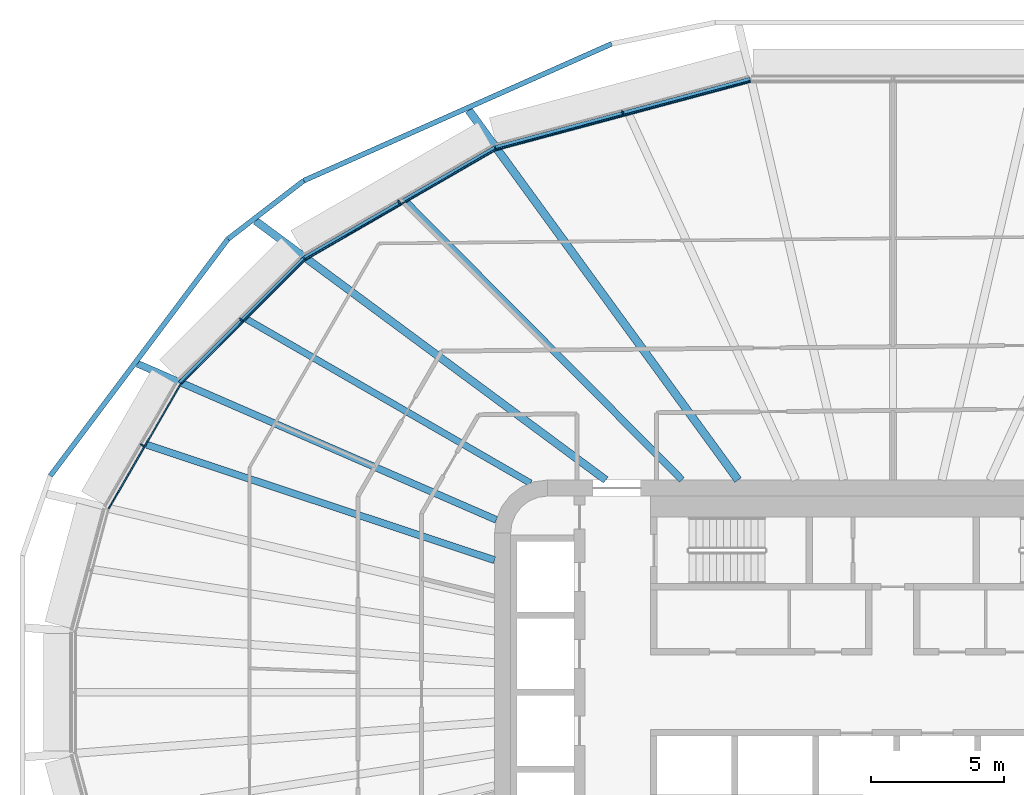
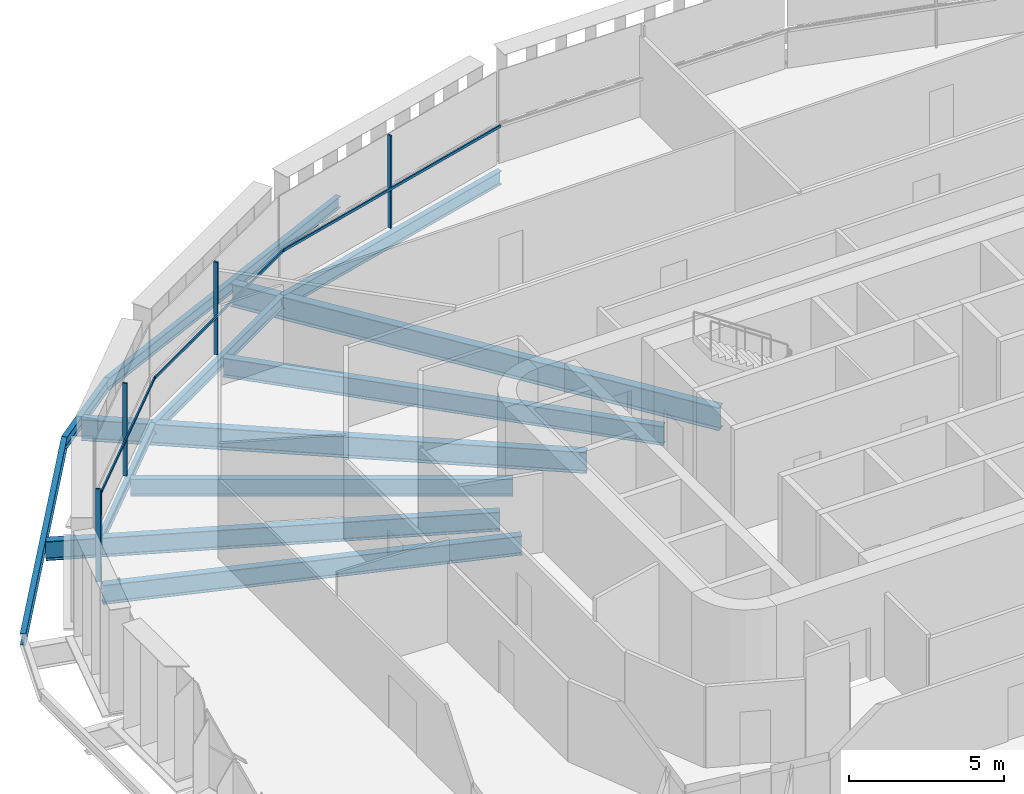
# One storey, part 7 of 24: 12 beams, 8 members, 4 elements without a shape of their own.
"""IFC4 building model written with IfcOpenShell, lengths in metres."""

from ifc_helpers import new_model, si_unit, direction, frame, origin, origin_2d, place, context, subcontext, project, spatial, rectangle, i_section, extrude, material, layer, layer_set, material_profile, profile_set, type_object, element, aggregate, save


model = new_model("IFC4")

# Units and contexts
model_context = context("Model", 3, precision=1e-05, world=origin(), true_north=direction((0.0, 1.0)))
body_context = subcontext(model_context, "Body", "Model", "MODEL_VIEW")
ifc_project = project(units=[si_unit("LENGTHUNIT", "METRE"), si_unit("AREAUNIT", "SQUARE_METRE"), si_unit("VOLUMEUNIT", "CUBIC_METRE"), si_unit("PLANEANGLEUNIT", "RADIAN"), si_unit("MASSUNIT", "GRAM", prefix="KILO")], contexts=[model_context])

# Site, building, storey
site_placement = place(None, origin())
site = spatial("IfcSite", under=ifc_project, at=site_placement, CompositionType="ELEMENT")
building_placement = place(site_placement, origin())
building = spatial("IfcBuilding", under=site, at=building_placement, Name="Sahrelin Media Tower", CompositionType="ELEMENT")
storey_placement = place(building_placement, frame((0.0, 0.0, 67.199951171875)))
storey = spatial("IfcBuildingStorey", under=building, at=storey_placement, Name="L11", CompositionType="ELEMENT", Elevation=67.199951171875)

# Beams
ifc_material_1 = material(Name="Steel S355", Category="steel")
ifc_material_profile_1 = material_profile(ifc_material_1, i_section(OverallWidth=0.17138671875, OverallDepth=0.35498046875, WebThickness=0.00732421875, FlangeThickness=0.011474609375, FilletRadius=0.01025390625, at=origin_2d()), Name="UB 356x171x51")
ifc_profile_set_1 = profile_set([ifc_material_profile_1], Name="Steel S355")
beam_type_1 = type_object("IfcBeamType", Name="Edge beam EB3", PredefinedType="BEAM", material=ifc_profile_set_1)
beam_1_placement = place(storey_placement, frame((-26.849609375, 11.656005859375, -0.327392578125), z_axis=(0.707106781187, 0.707106781187, 0.0), x_axis=(-0.707106781187, 0.707106781187, 0.0)))
element("IfcBeam", 1, at=beam_1_placement, inside=storey, type_object=beam_type_1, Name="Edge beam L11-16", PredefinedType="BEAM", context=body_context, shape_type="SweptSolid", body=[
    extrude(i_section(OverallWidth=0.17138671875, OverallDepth=0.35498046875, WebThickness=0.00732421875, FlangeThickness=0.011474609375, FilletRadius=0.01025390625, at=origin_2d()), origin(), (0.0, 0.0, 1.0), 6.61669921875),
])
ifc_material_profile_2 = material_profile(ifc_material_1, i_section(OverallWidth=0.1904296875, OverallDepth=0.45703125, WebThickness=0.009033203125, FlangeThickness=0.014404296875, FilletRadius=0.01025390625, at=origin_2d()), Name="UB 457x191x74")
ifc_profile_set_2 = profile_set([ifc_material_profile_2], Name="Steel S355")
beam_type_2 = type_object("IfcBeamType", Name="Edge beam EB5", PredefinedType="BEAM", material=ifc_profile_set_2)
beam_2_placement = place(storey_placement, frame((-22.14794921875, 16.352294921875, -0.37841796875), z_axis=(0.866016484387, 0.500015448532, 0.0), x_axis=(-0.500015448532, 0.866016484387, 0.0)))
element("IfcBeam", 2, at=beam_2_placement, inside=storey, type_object=beam_type_2, Name="Edge beam L11-17", PredefinedType="BEAM", context=body_context, shape_type="SweptSolid", body=[
    extrude(i_section(OverallWidth=0.1904296875, OverallDepth=0.45703125, WebThickness=0.009033203125, FlangeThickness=0.014404296875, FilletRadius=0.01025390625, at=origin_2d()), origin(), (0.0, 0.0, 1.0), 8.270751953125),
])
ifc_material_profile_3 = material_profile(ifc_material_1, i_section(OverallWidth=0.208740234375, OverallDepth=0.5283203125, WebThickness=0.009521484375, FlangeThickness=0.01318359375, FilletRadius=0.0126953125, at=origin_2d()), Name="UB 533x210x82")
ifc_profile_set_3 = profile_set([ifc_material_profile_3], Name="Steel S355")
beam_type_3 = type_object("IfcBeamType", Name="Edge beam EB6", PredefinedType="BEAM", material=ifc_profile_set_3)
beam_3_placement = place(storey_placement, frame((-14.958740234375, 20.498779296875, -0.4140625), z_axis=(0.965929509631, 0.25880529829, 0.0), x_axis=(-0.25880529829, 0.965929509631, 0.0)))
element("IfcBeam", 3, at=beam_3_placement, inside=storey, type_object=beam_type_3, Name="Edge beam L11-18", PredefinedType="BEAM", context=body_context, shape_type="SweptSolid", body=[
    extrude(i_section(OverallWidth=0.208740234375, OverallDepth=0.5283203125, WebThickness=0.009521484375, FlangeThickness=0.01318359375, FilletRadius=0.0126953125, at=origin_2d()), origin(), (0.0, 0.0, 1.0), 9.932373046875),
])

# Curtain wall, member
ifc_material_2 = material(Name="Champagne anodised aluminium 6063-T6", Category="aluminium")
ifc_layer = layer(ifc_material_2, 0.14990234375)
ifc_layer_set = layer_set([ifc_layer], Name="Tower ribbon curtain wall")
curtain_wall_type = type_object("IfcCurtainWallType", Name="Tower ribbon curtain wall", PredefinedType="NOTDEFINED", material=ifc_layer_set)
curtain_wall_1_placement = place(storey_placement, frame((-10.200439453125, 21.928955078125, 0.0), z_axis=(0.0, 0.0, 1.0), x_axis=(1.0, 0.0, 0.0)))
curtain_wall_1 = element("IfcCurtainWall", 4, at=curtain_wall_1_placement, inside=storey, type_object=curtain_wall_type, Name="L11:CW:L11-07", PredefinedType="NOTDEFINED")
ifc_material_profile_4 = material_profile(ifc_material_2, rectangle(XDim=0.06005859375, YDim=0.14990234375, at=origin_2d()), Name="Mullion 60x150")
ifc_profile_set_4 = profile_set([ifc_material_profile_4], Name="Champagne anodised aluminium 6063-T6")
member_type_1 = type_object("IfcMemberType", Name="Mullion 60x150 CW1", PredefinedType="MULLION", material=ifc_profile_set_4)
member_1_placement = place(storey_placement, frame((-10.17578125, 21.837158203125, 0.0), z_axis=(0.0, 0.0, 1.0), x_axis=(-0.965926729732, -0.258815673384, 0.0)))
member_1 = element("IfcMember", 5, at=member_1_placement, type_object=member_type_1, Name="L11:CWM:L11-07", PredefinedType="MULLION", context=body_context, shape_type="SweptSolid", body=[
    extrude(rectangle(XDim=0.06005859375, YDim=0.14990234375, at=origin_2d()), origin(), (0.0, 0.0, 1.0), 3.648681640625),
])

curtain_wall_2_placement = place(storey_placement, frame((-18.6416015625, 18.5498046875, 0.0), z_axis=(0.0, 0.0, 1.0), x_axis=(1.0, 0.0, 0.0)))
curtain_wall_2 = element("IfcCurtainWall", 6, at=curtain_wall_2_placement, inside=storey, type_object=curtain_wall_type, Name="L11:CW:L11-08", PredefinedType="NOTDEFINED")
member_2_placement = place(storey_placement, frame((-18.593994140625, 18.4677734375, 0.0), z_axis=(0.0, 0.0, 1.0), x_axis=(-0.866024531118, -0.500001511499, 0.0)))
member_2 = element("IfcMember", 7, at=member_2_placement, type_object=member_type_1, Name="L11:CWM:L11-08", PredefinedType="MULLION", context=body_context, shape_type="SweptSolid", body=[
    extrude(rectangle(XDim=0.06005859375, YDim=0.14990234375, at=origin_2d()), origin(), (0.0, 0.0, 1.0), 3.648681640625),
])

curtain_wall_3_placement = place(storey_placement, frame((-24.616455078125, 14.101318359375, 0.0), z_axis=(0.0, 0.0, 1.0), x_axis=(1.0, 0.0, 0.0)))
curtain_wall_3 = element("IfcCurtainWall", 8, at=curtain_wall_3_placement, inside=storey, type_object=curtain_wall_type, Name="L11:CW:L11-09", PredefinedType="NOTDEFINED")
member_3_placement = place(storey_placement, frame((-24.54931640625, 14.0341796875, 0.0), z_axis=(0.0, 0.0, 1.0), x_axis=(-0.707106781187, -0.707106781187, 0.0)))
member_3 = element("IfcMember", 9, at=member_3_placement, type_object=member_type_1, Name="L11:CWM:L11-09", PredefinedType="MULLION", context=body_context, shape_type="SweptSolid", body=[
    extrude(rectangle(XDim=0.06005859375, YDim=0.14990234375, at=origin_2d()), origin(), (0.0, 0.0, 1.0), 3.648681640625),
])

curtain_wall_4_placement = place(storey_placement, frame((-28.354736328125, 9.356689453125, 0.0), z_axis=(0.0, 0.0, 1.0), x_axis=(1.0, 0.0, 0.0)))
curtain_wall_4 = element("IfcCurtainWall", 10, at=curtain_wall_4_placement, inside=storey, type_object=curtain_wall_type, Name="L11:CW:L11-10", PredefinedType="NOTDEFINED")
member_4_placement = place(storey_placement, frame((-28.2724609375, 9.30908203125, 0.0), z_axis=(0.0, 0.0, 1.0), x_axis=(-0.4999984885, -0.866026276448, 0.0)))
member_4 = element("IfcMember", 11, at=member_4_placement, type_object=member_type_1, Name="L11:CWM:L11-10", PredefinedType="MULLION", context=body_context, shape_type="SweptSolid", body=[
    extrude(rectangle(XDim=0.06005859375, YDim=0.14990234375, at=origin_2d()), origin(), (0.0, 0.0, 1.0), 3.648681640625),
])

# Beams
ifc_material_profile_5 = material_profile(ifc_material_1, i_section(OverallWidth=0.291748046875, OverallDepth=0.8349609375, WebThickness=0.013916015625, FlangeThickness=0.018798828125, FilletRadius=0.017822265625, at=origin_2d()), Name="UB 838x292x176")
ifc_profile_set_5 = profile_set([ifc_material_profile_5], Name="Steel S355")
beam_type_4 = type_object("IfcBeamType", Name="Radial primary beam PB10", PredefinedType="BEAM", material=ifc_profile_set_5)
beam_4_placement = place(storey_placement, frame((-10.81201171875, 8.0, -0.5673828125), z_axis=(-0.803875478247, 0.594797625646, 0.0), x_axis=(-0.594797625646, -0.803875478247, 0.0)))
element("IfcBeam", 12, at=beam_4_placement, inside=storey, type_object=beam_type_4, Name="Radial beam L11-09", PredefinedType="BEAM", context=body_context, shape_type="SweptSolid", body=[
    extrude(i_section(OverallWidth=0.291748046875, OverallDepth=0.8349609375, WebThickness=0.013916015625, FlangeThickness=0.018798828125, FilletRadius=0.017822265625, at=origin_2d()), origin(), (0.0, 0.0, 1.0), 16.408447265625),
])
ifc_material_profile_6 = material_profile(ifc_material_1, i_section(OverallWidth=0.30322265625, OverallDepth=0.903076171875, WebThickness=0.01513671875, FlangeThickness=0.020263671875, FilletRadius=0.01904296875, at=origin_2d()), Name="UB 914x305x201")
ifc_profile_set_6 = profile_set([ifc_material_profile_6], Name="Steel S355")
beam_type_5 = type_object("IfcBeamType", Name="Radial primary beam PB11", PredefinedType="BEAM", material=ifc_profile_set_6)
beam_5_placement = place(storey_placement, frame((-5.827392578125, 8.0, -0.6015625), z_axis=(-0.588761918739, 0.808306503155, 0.0), x_axis=(-0.808306503155, -0.588761918739, 0.0)))
element("IfcBeam", 13, at=beam_5_placement, inside=storey, type_object=beam_type_5, Name="Radial beam L11-08", PredefinedType="BEAM", context=body_context, shape_type="SweptSolid", body=[
    extrude(i_section(OverallWidth=0.30322265625, OverallDepth=0.903076171875, WebThickness=0.01513671875, FlangeThickness=0.020263671875, FilletRadius=0.01904296875, at=origin_2d()), origin(), (0.0, 0.0, 1.0), 17.236572265625),
])
ifc_material_profile_7 = material_profile(ifc_material_1, i_section(OverallWidth=0.26513671875, OverallDepth=0.75390625, WebThickness=0.0126953125, FlangeThickness=0.017578125, FilletRadius=0.0166015625, at=origin_2d()), Name="UB 762x267x147")
ifc_profile_set_7 = profile_set([ifc_material_profile_7], Name="Steel S355")
beam_type_6 = type_object("IfcBeamType", Name="Radial primary beam PB9", PredefinedType="BEAM", material=ifc_profile_set_7)
beam_6_placement = place(storey_placement, frame((-14.9345703125, 6.497314453125, -0.52685546875), z_axis=(-0.916976546495, 0.398941114926, 0.0), x_axis=(-0.398941114926, -0.916976546495, 0.0)))
element("IfcBeam", 14, at=beam_6_placement, inside=storey, type_object=beam_type_6, Name="Radial beam L11-10", PredefinedType="BEAM", context=body_context, shape_type="SweptSolid", body=[
    extrude(i_section(OverallWidth=0.26513671875, OverallDepth=0.75390625, WebThickness=0.0126953125, FlangeThickness=0.017578125, FilletRadius=0.0166015625, at=origin_2d()), origin(), (0.0, 0.0, 1.0), 14.7392578125),
])
ifc_material_profile_8 = material_profile(ifc_material_1, i_section(OverallWidth=0.2529296875, OverallDepth=0.677978515625, WebThickness=0.01171875, FlangeThickness=0.01611328125, FilletRadius=0.01513671875, at=origin_2d()), Name="UB 686x254x125")
ifc_profile_set_8 = profile_set([ifc_material_profile_8], Name="Steel S355")
beam_type_7 = type_object("IfcBeamType", Name="Radial secondary beam SB8", PredefinedType="BEAM", material=ifc_profile_set_8)
beam_7_placement = place(storey_placement, frame((-13.64453125, 7.87939453125, -0.48876953125), z_axis=(-0.865985956665, 0.500068318192, 0.0), x_axis=(-0.500068318192, -0.865985956665, 0.0)))
element("IfcBeam", 15, at=beam_7_placement, inside=storey, type_object=beam_type_7, Name="Secondary beam L11-09", PredefinedType="BEAM", context=body_context, shape_type="SweptSolid", body=[
    extrude(i_section(OverallWidth=0.2529296875, OverallDepth=0.677978515625, WebThickness=0.01171875, FlangeThickness=0.01611328125, FilletRadius=0.01513671875, at=origin_2d()), origin(), (0.0, 0.0, 1.0), 12.342529296875),
])
ifc_material_profile_9 = material_profile(ifc_material_1, i_section(OverallWidth=0.26513671875, OverallDepth=0.75390625, WebThickness=0.0126953125, FlangeThickness=0.017578125, FilletRadius=0.0166015625, at=origin_2d()), Name="UB 762x267x147")
ifc_profile_set_9 = profile_set([ifc_material_profile_9], Name="Steel S355")
beam_type_8 = type_object("IfcBeamType", Name="Radial secondary beam SB9", PredefinedType="BEAM", material=ifc_profile_set_9)
beam_8_placement = place(storey_placement, frame((-7.9404296875, 8.0, -0.52685546875), z_axis=(-0.704458173544, 0.709745504901, 0.0), x_axis=(-0.709745504901, -0.704458173544, 0.0)))
element("IfcBeam", 16, at=beam_8_placement, inside=storey, type_object=beam_type_8, Name="Secondary beam L11-08", PredefinedType="BEAM", context=body_context, shape_type="SweptSolid", body=[
    extrude(i_section(OverallWidth=0.26513671875, OverallDepth=0.75390625, WebThickness=0.0126953125, FlangeThickness=0.017578125, FilletRadius=0.0166015625, at=origin_2d()), origin(), (0.0, 0.0, 1.0), 14.729736328125),
])
beam_9_placement = place(storey_placement, frame((-15.0, 4.977783203125, -0.52685546875), z_axis=(-0.949108592973, 0.314949009752, 0.0), x_axis=(-0.314949009752, -0.949108592973, 0.0)))
element("IfcBeam", 17, at=beam_9_placement, inside=storey, type_object=beam_type_8, Name="Secondary beam L11-10", PredefinedType="BEAM", context=body_context, shape_type="SweptSolid", body=[
    extrude(i_section(OverallWidth=0.26513671875, OverallDepth=0.75390625, WebThickness=0.0126953125, FlangeThickness=0.017578125, FilletRadius=0.0166015625, at=origin_2d()), origin(), (0.0, 0.0, 1.0), 13.806640625),
])
ifc_material_profile_10 = material_profile(ifc_material_1, i_section(OverallWidth=0.1904296875, OverallDepth=0.45703125, WebThickness=0.009033203125, FlangeThickness=0.014404296875, FilletRadius=0.01025390625, at=origin_2d()), Name="UB 457x191x74")
ifc_profile_set_10 = profile_set([ifc_material_profile_10], Name="Steel S355")
beam_type_9 = type_object("IfcBeamType", Name="Tie chord TC5", PredefinedType="BEAM", material=ifc_profile_set_10)
beam_10_placement = place(storey_placement, frame((-10.591796875, 24.428955078125, -0.37841796875), z_axis=(-0.913834550776, -0.406086707252, 0.0), x_axis=(0.406086707252, -0.913834550776, 0.0)))
element("IfcBeam", 18, at=beam_10_placement, inside=storey, type_object=beam_type_9, Name="Tie chord L11-08", PredefinedType="BEAM", context=body_context, shape_type="SweptSolid", body=[
    extrude(i_section(OverallWidth=0.1904296875, OverallDepth=0.45703125, WebThickness=0.009033203125, FlangeThickness=0.014404296875, FilletRadius=0.01025390625, at=origin_2d()), origin(), (0.0, 0.0, 1.0), 12.69189453125),
])
beam_11_placement = place(storey_placement, frame((-22.190185546875, 19.27490234375, -0.37841796875), z_axis=(-0.792407061468, -0.609992663018, 0.0), x_axis=(0.609992663018, -0.792407061468, 0.0)))
element("IfcBeam", 19, at=beam_11_placement, inside=storey, type_object=beam_type_9, Name="Tie chord L11-09", PredefinedType="BEAM", context=body_context, shape_type="SweptSolid", body=[
    extrude(i_section(OverallWidth=0.1904296875, OverallDepth=0.45703125, WebThickness=0.009033203125, FlangeThickness=0.014404296875, FilletRadius=0.01025390625, at=origin_2d()), origin(), (0.0, 0.0, 1.0), 3.598876953125),
])
beam_12_placement = place(storey_placement, frame((-25.0419921875, 17.07958984375, -0.37841796875), z_axis=(-0.600059505481, -0.799955367431, 0.0), x_axis=(0.799955367431, -0.600059505481, 0.0)))
element("IfcBeam", 20, at=beam_12_placement, inside=storey, type_object=beam_type_9, Name="Tie chord L11-10", PredefinedType="BEAM", context=body_context, shape_type="SweptSolid", body=[
    extrude(i_section(OverallWidth=0.1904296875, OverallDepth=0.45703125, WebThickness=0.009033203125, FlangeThickness=0.014404296875, FilletRadius=0.01025390625, at=origin_2d()), origin(), (0.0, 0.0, 1.0), 11.159423828125),
])

# Member
ifc_material_profile_11 = material_profile(ifc_material_2, rectangle(XDim=0.050048828125, YDim=0.10009765625, at=origin_2d()), Name="Transom 50x100")
ifc_profile_set_11 = profile_set([ifc_material_profile_11], Name="Champagne anodised aluminium 6063-T6")
member_type_2 = type_object("IfcMemberType", Name="Transom 50x100 CW1", PredefinedType="USERDEFINED", material=ifc_profile_set_11)
member_5_placement = place(storey_placement, frame((-5.3681640625, 23.02197265625, 1.60009765625), z_axis=(-0.965928130018, -0.258810447315, 0.0), x_axis=(0.258810447315, -0.965928130018, 0.0)))
member_5 = element("IfcMember", 21, at=member_5_placement, type_object=member_type_2, Name="L11:CWT:L11-07", ObjectType="TRANSOM", PredefinedType="USERDEFINED", context=body_context, shape_type="SweptSolid", body=[
    extrude(rectangle(XDim=0.050048828125, YDim=0.10009765625, at=origin_2d()), origin(), (0.0, 0.0, 1.0), 9.901123046875),
])

aggregate(curtain_wall_1, [member_1, member_5])

member_6_placement = place(storey_placement, frame((-14.976318359375, 20.44091796875, 1.60009765625), z_axis=(-0.866028179265, -0.499995192696, 0.0), x_axis=(0.499995192696, -0.866028179265, 0.0)))
member_6 = element("IfcMember", 22, at=member_6_placement, type_object=member_type_2, Name="L11:CWT:L11-08", ObjectType="TRANSOM", PredefinedType="USERDEFINED", context=body_context, shape_type="SweptSolid", body=[
    extrude(rectangle(XDim=0.050048828125, YDim=0.10009765625, at=origin_2d()), origin(), (0.0, 0.0, 1.0), 8.2392578125),
])

aggregate(curtain_wall_2, [member_2, member_6])

member_7_placement = place(storey_placement, frame((-22.150146484375, 16.2919921875, 1.60009765625), z_axis=(-0.707106781187, -0.707106781187, 0.0), x_axis=(0.707106781187, -0.707106781187, 0.0)))
member_7 = element("IfcMember", 23, at=member_7_placement, type_object=member_type_2, Name="L11:CWT:L11-09", ObjectType="TRANSOM", PredefinedType="USERDEFINED", context=body_context, shape_type="SweptSolid", body=[
    extrude(rectangle(XDim=0.050048828125, YDim=0.10009765625, at=origin_2d()), origin(), (0.0, 0.0, 1.0), 6.585693359375),
])

aggregate(curtain_wall_3, [member_3, member_7])

member_8_placement = place(storey_placement, frame((-26.836181640625, 11.596923828125, 1.60009765625), z_axis=(-0.500005595877, -0.866022172979, 0.0), x_axis=(0.866022172979, -0.500005595877, 0.0)))
member_8 = element("IfcMember", 24, at=member_8_placement, type_object=member_type_2, Name="L11:CWT:L11-10", ObjectType="TRANSOM", PredefinedType="USERDEFINED", context=body_context, shape_type="SweptSolid", body=[
    extrude(rectangle(XDim=0.050048828125, YDim=0.10009765625, at=origin_2d()), origin(), (0.0, 0.0, 1.0), 5.39892578125),
])

aggregate(curtain_wall_4, [member_4, member_8])

save(model, "model.ifc")
